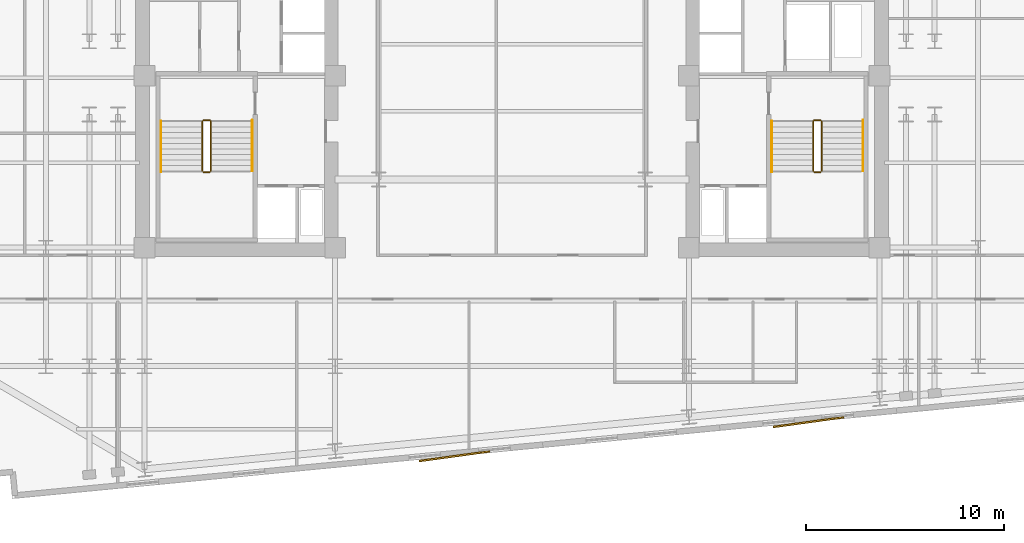
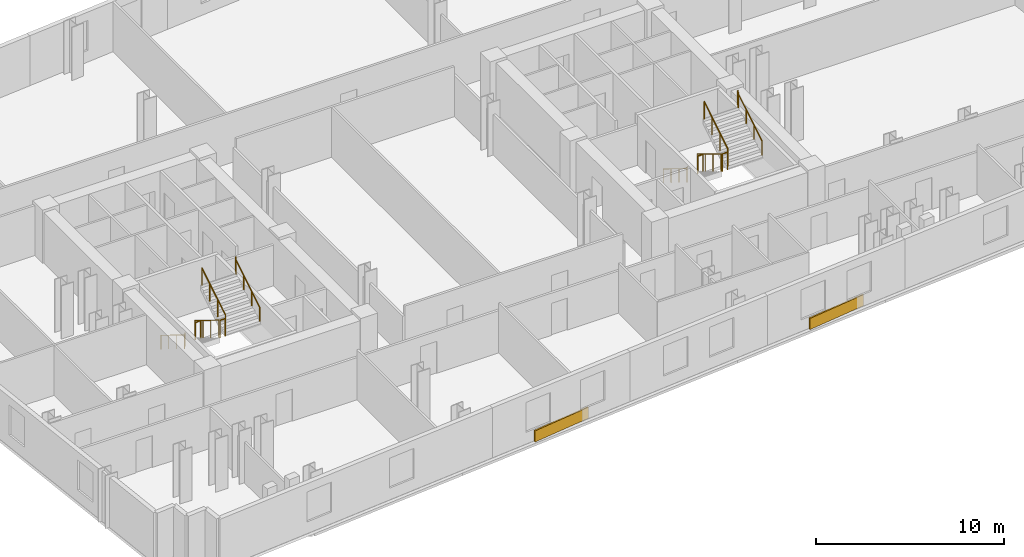
# One storey, part 9 of 10: 12 railings, 2 coverings.
"""IFC4 building model written with IfcOpenShell, lengths in metres."""

from ifc_helpers import new_model, si_unit, direction, frame, origin, origin_2d, place, context, subcontext, project, spatial, rectangle, circle, extrude, material, layer, layer_set, type_object, element, save


model = new_model("IFC4")

# Units and contexts
model_context = context("Model", 3, precision=1e-05, world=origin(), true_north=direction((0.0, 1.0)))
body_context = subcontext(model_context, "Body", "Model", "MODEL_VIEW")
ifc_project = project(units=[si_unit("LENGTHUNIT", "METRE"), si_unit("AREAUNIT", "SQUARE_METRE"), si_unit("VOLUMEUNIT", "CUBIC_METRE"), si_unit("PLANEANGLEUNIT", "RADIAN"), si_unit("MASSUNIT", "GRAM", prefix="KILO")], contexts=[model_context])

# Site, building, storey
site_placement = place(None, origin())
site = spatial("IfcSite", under=ifc_project, at=site_placement, CompositionType="ELEMENT")
building_placement = place(site_placement, origin())
building = spatial("IfcBuilding", under=site, at=building_placement, Name="Velakula Bourse", CompositionType="ELEMENT")
storey_placement = place(building_placement, frame((0.0, 0.0, 88.0)))
storey = spatial("IfcBuildingStorey", under=building, at=storey_placement, Name="L23", CompositionType="ELEMENT", Elevation=88.0)

# Coverings
ifc_material_1 = material(Name="Buff kilned clay facing brick masonry", Category="masonry")
ifc_layer = layer(ifc_material_1, 0.074951171875, Name="Buff kilned clay facing brick masonry", Category="masonry")
ifc_layer_set = layer_set([ifc_layer], Name="Buff kilned clay facing brick masonry")
covering_type = type_object("IfcCoveringType", Name="COV-BRK-SPN-75", PredefinedType="CLADDING", material=ifc_layer_set)
for number, where, z_axis, x_axis, name in (
    (1, (-2.908447265625, -19.154052734375, 0.0), (0.0, 0.0, 1.0), (0.990629029058, 0.136580111242, 0.0), "L23 Folded Brick Facade Cladding Panel S-B2"),
    (2, (15.0087890625, -17.428955078125, 0.0), (0.0, 0.0, 1.0), (0.990629029058, 0.136580111242, 0.0), "L23 Folded Brick Facade Cladding Panel S-B4"),
):
    element("IfcCovering", number, at=place(storey_placement, frame(where, z_axis=z_axis, x_axis=x_axis)), inside=storey, type_object=covering_type, Name=name, PredefinedType="CLADDING", context=body_context, shape_type="SweptSolid", body=[
        extrude(rectangle(XDim=3.60009765625, YDim=0.090087890625, at=origin_2d()), origin(), (0.0, 0.0, 1.0), 0.719970703125),
    ])

# Railings
ifc_material_2 = material(Name="Brushed grade 316 stainless steel", Category="steel")
railing_type_1 = type_object("IfcRailingType", Name="RLG-STAIR-GUARD-1150", PredefinedType="BALUSTRADE", material=ifc_material_2)
railing_1_placement = place(storey_placement, frame((-15.672119140625, -2.199951171875, 0.172607421875)))
element("IfcRailing", 3, at=railing_1_placement, inside=storey, type_object=railing_type_1, Name="L23 ST-W1 stair guard 1", PredefinedType="BALUSTRADE", context=body_context, shape_type="SweptSolid", body=[
    extrude(circle(Radius=0.02490234375, at=origin_2d()), frame((0.0, 0.0, 1.125), z_axis=(0.0, -0.851400495292, 0.524516154772), x_axis=(1.0, 0.0, 0.0)), (0.0, 0.0, 1.0), 2.9599609375),
    extrude(circle(Radius=0.02099609375, at=origin_2d()), origin(), (0.0, 0.0, 1.0), 1.099853515625),
    extrude(circle(Radius=0.02099609375, at=origin_2d()), frame((0.0, -0.840087890625, 0.517578125)), (0.0, 0.0, 1.0), 1.099853515625),
    extrude(circle(Radius=0.02099609375, at=origin_2d()), frame((0.0, -1.679931640625, 1.034912109375)), (0.0, 0.0, 1.0), 1.099853515625),
    extrude(circle(Radius=0.02099609375, at=origin_2d()), frame((0.0, -2.52001953125, 1.552490234375)), (0.0, 0.0, 1.0), 1.099853515625),
])
railing_2_placement = place(storey_placement, frame((-15.6220703125, -4.77001953125, 1.72509765625)))
element("IfcRailing", 4, at=railing_2_placement, inside=storey, type_object=railing_type_1, Name="L23 ST-W1 stair guard 2", PredefinedType="BALUSTRADE", context=body_context, shape_type="SweptSolid", body=[
    extrude(circle(Radius=0.02490234375, at=origin_2d()), frame((0.0, 0.0, 1.125), z_axis=(1.0, 0.0, 0.0), x_axis=(0.0, 1.0, 0.0)), (0.0, 0.0, 1.0), 0.323974609375),
    extrude(circle(Radius=0.02099609375, at=origin_2d()), origin(), (0.0, 0.0, 1.0), 1.099853515625),
    extrude(circle(Radius=0.02099609375, at=origin_2d()), frame((0.323974609375, 0.0, 0.0)), (0.0, 0.0, 1.0), 1.099853515625),
])
railing_3_placement = place(storey_placement, frame((-15.248046875, -4.719970703125, 1.8974609375)))
element("IfcRailing", 5, at=railing_3_placement, inside=storey, type_object=railing_type_1, Name="L23 ST-W1 stair guard 3", PredefinedType="BALUSTRADE", context=body_context, shape_type="SweptSolid", body=[
    extrude(circle(Radius=0.02490234375, at=origin_2d()), frame((0.0, 0.0, 1.125), z_axis=(0.0, 0.851400495292, 0.524516154772), x_axis=(-1.0, 0.0, 0.0)), (0.0, 0.0, 1.0), 2.9599609375),
    extrude(circle(Radius=0.02099609375, at=origin_2d()), origin(), (0.0, 0.0, 1.0), 1.099853515625),
    extrude(circle(Radius=0.02099609375, at=origin_2d()), frame((0.0, 0.840087890625, 0.517578125)), (0.0, 0.0, 1.0), 1.099853515625),
    extrude(circle(Radius=0.02099609375, at=origin_2d()), frame((0.0, 1.679931640625, 1.034912109375)), (0.0, 0.0, 1.0), 1.099853515625),
    extrude(circle(Radius=0.02099609375, at=origin_2d()), frame((0.0, 2.52001953125, 1.552490234375)), (0.0, 0.0, 1.0), 1.099853515625),
])
railing_4_placement = place(storey_placement, frame((-15.6220703125, -2.14990234375, 0.0)))
element("IfcRailing", 6, at=railing_4_placement, inside=storey, type_object=railing_type_1, Name="L23 ST-W1 stair guard 4", PredefinedType="BALUSTRADE", context=body_context, shape_type="SweptSolid", body=[
    extrude(circle(Radius=0.02490234375, at=origin_2d()), frame((0.0, 0.0, 1.125), z_axis=(1.0, 0.0, 0.0), x_axis=(0.0, 1.0, 0.0)), (0.0, 0.0, 1.0), 0.323974609375),
    extrude(circle(Radius=0.02099609375, at=origin_2d()), origin(), (0.0, 0.0, 1.0), 1.099853515625),
    extrude(circle(Radius=0.02099609375, at=origin_2d()), frame((0.323974609375, 0.0, 0.0)), (0.0, 0.0, 1.0), 1.099853515625),
])
railing_5_placement = place(storey_placement, frame((15.248046875, -2.199951171875, 0.172607421875)))
element("IfcRailing", 7, at=railing_5_placement, inside=storey, type_object=railing_type_1, Name="L23 ST-E1 stair guard 1", PredefinedType="BALUSTRADE", context=body_context, shape_type="SweptSolid", body=[
    extrude(circle(Radius=0.02490234375, at=origin_2d()), frame((0.0, 0.0, 1.125), z_axis=(0.0, -0.851400495292, 0.524516154772), x_axis=(1.0, 0.0, 0.0)), (0.0, 0.0, 1.0), 2.9599609375),
    extrude(circle(Radius=0.02099609375, at=origin_2d()), origin(), (0.0, 0.0, 1.0), 1.099853515625),
    extrude(circle(Radius=0.02099609375, at=origin_2d()), frame((0.0, -0.840087890625, 0.517578125)), (0.0, 0.0, 1.0), 1.099853515625),
    extrude(circle(Radius=0.02099609375, at=origin_2d()), frame((0.0, -1.679931640625, 1.034912109375)), (0.0, 0.0, 1.0), 1.099853515625),
    extrude(circle(Radius=0.02099609375, at=origin_2d()), frame((0.0, -2.52001953125, 1.552490234375)), (0.0, 0.0, 1.0), 1.099853515625),
])
railing_6_placement = place(storey_placement, frame((15.298095703125, -4.77001953125, 1.72509765625)))
element("IfcRailing", 8, at=railing_6_placement, inside=storey, type_object=railing_type_1, Name="L23 ST-E1 stair guard 2", PredefinedType="BALUSTRADE", context=body_context, shape_type="SweptSolid", body=[
    extrude(circle(Radius=0.02490234375, at=origin_2d()), frame((0.0, 0.0, 1.125), z_axis=(1.0, 0.0, 0.0), x_axis=(0.0, 1.0, 0.0)), (0.0, 0.0, 1.0), 0.323974609375),
    extrude(circle(Radius=0.02099609375, at=origin_2d()), origin(), (0.0, 0.0, 1.0), 1.099853515625),
    extrude(circle(Radius=0.02099609375, at=origin_2d()), frame((0.323974609375, 0.0, 0.0)), (0.0, 0.0, 1.0), 1.099853515625),
])
railing_7_placement = place(storey_placement, frame((15.672119140625, -4.719970703125, 1.8974609375)))
element("IfcRailing", 9, at=railing_7_placement, inside=storey, type_object=railing_type_1, Name="L23 ST-E1 stair guard 3", PredefinedType="BALUSTRADE", context=body_context, shape_type="SweptSolid", body=[
    extrude(circle(Radius=0.02490234375, at=origin_2d()), frame((0.0, 0.0, 1.125), z_axis=(0.0, 0.851400495292, 0.524516154772), x_axis=(-1.0, 0.0, 0.0)), (0.0, 0.0, 1.0), 2.9599609375),
    extrude(circle(Radius=0.02099609375, at=origin_2d()), origin(), (0.0, 0.0, 1.0), 1.099853515625),
    extrude(circle(Radius=0.02099609375, at=origin_2d()), frame((0.0, 0.840087890625, 0.517578125)), (0.0, 0.0, 1.0), 1.099853515625),
    extrude(circle(Radius=0.02099609375, at=origin_2d()), frame((0.0, 1.679931640625, 1.034912109375)), (0.0, 0.0, 1.0), 1.099853515625),
    extrude(circle(Radius=0.02099609375, at=origin_2d()), frame((0.0, 2.52001953125, 1.552490234375)), (0.0, 0.0, 1.0), 1.099853515625),
])
railing_8_placement = place(storey_placement, frame((15.298095703125, -2.14990234375, 0.0)))
element("IfcRailing", 10, at=railing_8_placement, inside=storey, type_object=railing_type_1, Name="L23 ST-E1 stair guard 4", PredefinedType="BALUSTRADE", context=body_context, shape_type="SweptSolid", body=[
    extrude(circle(Radius=0.02490234375, at=origin_2d()), frame((0.0, 0.0, 1.125), z_axis=(1.0, 0.0, 0.0), x_axis=(0.0, 1.0, 0.0)), (0.0, 0.0, 1.0), 0.323974609375),
    extrude(circle(Radius=0.02099609375, at=origin_2d()), origin(), (0.0, 0.0, 1.0), 1.099853515625),
    extrude(circle(Radius=0.02099609375, at=origin_2d()), frame((0.323974609375, 0.0, 0.0)), (0.0, 0.0, 1.0), 1.099853515625),
])
railing_type_2 = type_object("IfcRailingType", Name="RLG-STAIR-HAND-920", PredefinedType="HANDRAIL", material=ifc_material_2)
railing_9_placement = place(storey_placement, frame((-17.77001953125, -2.199951171875, 0.172607421875)))
element("IfcRailing", 11, at=railing_9_placement, inside=storey, type_object=railing_type_2, Name="L23 ST-W1 stair handrail 1", PredefinedType="HANDRAIL", context=body_context, shape_type="SweptSolid", body=[
    extrude(circle(Radius=0.02099609375, at=origin_2d()), frame((0.0, 0.0, 0.89892578125), z_axis=(0.0, -0.851400495292, 0.524516154772), x_axis=(1.0, 0.0, 0.0)), (0.0, 0.0, 1.0), 2.9599609375),
    extrude(circle(Radius=0.02099609375, at=origin_2d()), frame((0.0, -2.52001953125, 2.451416015625), z_axis=(0.0, -0.226269970362, 0.974064628509), x_axis=(1.0, 0.0, 0.0)), (0.0, 0.0, 1.0), 0.177001953125),
    extrude(circle(Radius=0.02099609375, at=origin_2d()), frame((0.0, -2.56005859375, 2.623779296875), z_axis=(0.0, -1.0, 0.0), x_axis=(1.0, 0.0, 0.0)), (0.0, 0.0, 1.0), 0.0048828125),
    extrude(circle(Radius=0.02099609375, at=origin_2d()), origin(), (0.0, 0.0, 1.0), 0.8779296875),
    extrude(circle(Radius=0.02099609375, at=origin_2d()), frame((0.0, -0.840087890625, 0.517578125)), (0.0, 0.0, 1.0), 0.8779296875),
    extrude(circle(Radius=0.02099609375, at=origin_2d()), frame((0.0, -1.679931640625, 1.034912109375)), (0.0, 0.0, 1.0), 0.8779296875),
    extrude(circle(Radius=0.02099609375, at=origin_2d()), frame((0.0, -2.52001953125, 1.552490234375)), (0.0, 0.0, 1.0), 0.8779296875),
    extrude(circle(Radius=0.02099609375, at=origin_2d()), frame((0.0, -2.56005859375, 1.724853515625)), (0.0, 0.0, 1.0), 0.8779296875),
    extrude(circle(Radius=0.02099609375, at=origin_2d()), frame((0.0, -2.56494140625, 1.724853515625)), (0.0, 0.0, 1.0), 0.8779296875),
])
railing_10_placement = place(storey_placement, frame((-13.14990234375, -4.719970703125, 1.8974609375)))
element("IfcRailing", 12, at=railing_10_placement, inside=storey, type_object=railing_type_2, Name="L23 ST-W1 stair handrail 2", PredefinedType="HANDRAIL", context=body_context, shape_type="SweptSolid", body=[
    extrude(circle(Radius=0.02099609375, at=origin_2d()), frame((0.0, 0.0, 0.89892578125), z_axis=(0.0, 0.851400495292, 0.524516154772), x_axis=(-1.0, 0.0, 0.0)), (0.0, 0.0, 1.0), 2.9599609375),
    extrude(circle(Radius=0.02099609375, at=origin_2d()), frame((0.0, 2.52001953125, 2.451416015625), z_axis=(0.0, 0.22596628056, 0.974135124123), x_axis=(-1.0, 0.0, 0.0)), (0.0, 0.0, 1.0), 0.17724609375),
    extrude(circle(Radius=0.02099609375, at=origin_2d()), frame((0.0, 2.56005859375, 2.6240234375), z_axis=(0.0, 1.0, 0.0), x_axis=(-1.0, 0.0, 0.0)), (0.0, 0.0, 1.0), 0.0048828125),
    extrude(circle(Radius=0.02099609375, at=origin_2d()), origin(), (0.0, 0.0, 1.0), 0.8779296875),
    extrude(circle(Radius=0.02099609375, at=origin_2d()), frame((0.0, 0.840087890625, 0.517578125)), (0.0, 0.0, 1.0), 0.8779296875),
    extrude(circle(Radius=0.02099609375, at=origin_2d()), frame((0.0, 1.679931640625, 1.034912109375)), (0.0, 0.0, 1.0), 0.8779296875),
    extrude(circle(Radius=0.02099609375, at=origin_2d()), frame((0.0, 2.52001953125, 1.552490234375)), (0.0, 0.0, 1.0), 0.8779296875),
    extrude(circle(Radius=0.02099609375, at=origin_2d()), frame((0.0, 2.56005859375, 1.72509765625)), (0.0, 0.0, 1.0), 0.8779296875),
    extrude(circle(Radius=0.02099609375, at=origin_2d()), frame((0.0, 2.56494140625, 1.72509765625)), (0.0, 0.0, 1.0), 0.8779296875),
])
railing_11_placement = place(storey_placement, frame((13.14990234375, -2.199951171875, 0.172607421875)))
element("IfcRailing", 13, at=railing_11_placement, inside=storey, type_object=railing_type_2, Name="L23 ST-E1 stair handrail 1", PredefinedType="HANDRAIL", context=body_context, shape_type="SweptSolid", body=[
    extrude(circle(Radius=0.02099609375, at=origin_2d()), frame((0.0, 0.0, 0.89892578125), z_axis=(0.0, -0.851400495292, 0.524516154772), x_axis=(1.0, 0.0, 0.0)), (0.0, 0.0, 1.0), 2.9599609375),
    extrude(circle(Radius=0.02099609375, at=origin_2d()), frame((0.0, -2.52001953125, 2.451416015625), z_axis=(0.0, -0.226269970362, 0.974064628509), x_axis=(1.0, 0.0, 0.0)), (0.0, 0.0, 1.0), 0.177001953125),
    extrude(circle(Radius=0.02099609375, at=origin_2d()), frame((0.0, -2.56005859375, 2.623779296875), z_axis=(0.0, -1.0, 0.0), x_axis=(1.0, 0.0, 0.0)), (0.0, 0.0, 1.0), 0.0048828125),
    extrude(circle(Radius=0.02099609375, at=origin_2d()), origin(), (0.0, 0.0, 1.0), 0.8779296875),
    extrude(circle(Radius=0.02099609375, at=origin_2d()), frame((0.0, -0.840087890625, 0.517578125)), (0.0, 0.0, 1.0), 0.8779296875),
    extrude(circle(Radius=0.02099609375, at=origin_2d()), frame((0.0, -1.679931640625, 1.034912109375)), (0.0, 0.0, 1.0), 0.8779296875),
    extrude(circle(Radius=0.02099609375, at=origin_2d()), frame((0.0, -2.52001953125, 1.552490234375)), (0.0, 0.0, 1.0), 0.8779296875),
    extrude(circle(Radius=0.02099609375, at=origin_2d()), frame((0.0, -2.56005859375, 1.724853515625)), (0.0, 0.0, 1.0), 0.8779296875),
    extrude(circle(Radius=0.02099609375, at=origin_2d()), frame((0.0, -2.56494140625, 1.724853515625)), (0.0, 0.0, 1.0), 0.8779296875),
])
railing_12_placement = place(storey_placement, frame((17.77001953125, -4.719970703125, 1.8974609375)))
element("IfcRailing", 14, at=railing_12_placement, inside=storey, type_object=railing_type_2, Name="L23 ST-E1 stair handrail 2", PredefinedType="HANDRAIL", context=body_context, shape_type="SweptSolid", body=[
    extrude(circle(Radius=0.02099609375, at=origin_2d()), frame((0.0, 0.0, 0.89892578125), z_axis=(0.0, 0.851400495292, 0.524516154772), x_axis=(-1.0, 0.0, 0.0)), (0.0, 0.0, 1.0), 2.9599609375),
    extrude(circle(Radius=0.02099609375, at=origin_2d()), frame((0.0, 2.52001953125, 2.451416015625), z_axis=(0.0, 0.22596628056, 0.974135124123), x_axis=(-1.0, 0.0, 0.0)), (0.0, 0.0, 1.0), 0.17724609375),
    extrude(circle(Radius=0.02099609375, at=origin_2d()), frame((0.0, 2.56005859375, 2.6240234375), z_axis=(0.0, 1.0, 0.0), x_axis=(-1.0, 0.0, 0.0)), (0.0, 0.0, 1.0), 0.0048828125),
    extrude(circle(Radius=0.02099609375, at=origin_2d()), origin(), (0.0, 0.0, 1.0), 0.8779296875),
    extrude(circle(Radius=0.02099609375, at=origin_2d()), frame((0.0, 0.840087890625, 0.517578125)), (0.0, 0.0, 1.0), 0.8779296875),
    extrude(circle(Radius=0.02099609375, at=origin_2d()), frame((0.0, 1.679931640625, 1.034912109375)), (0.0, 0.0, 1.0), 0.8779296875),
    extrude(circle(Radius=0.02099609375, at=origin_2d()), frame((0.0, 2.52001953125, 1.552490234375)), (0.0, 0.0, 1.0), 0.8779296875),
    extrude(circle(Radius=0.02099609375, at=origin_2d()), frame((0.0, 2.56005859375, 1.72509765625)), (0.0, 0.0, 1.0), 0.8779296875),
    extrude(circle(Radius=0.02099609375, at=origin_2d()), frame((0.0, 2.56494140625, 1.72509765625)), (0.0, 0.0, 1.0), 0.8779296875),
])

save(model, "model.ifc")
